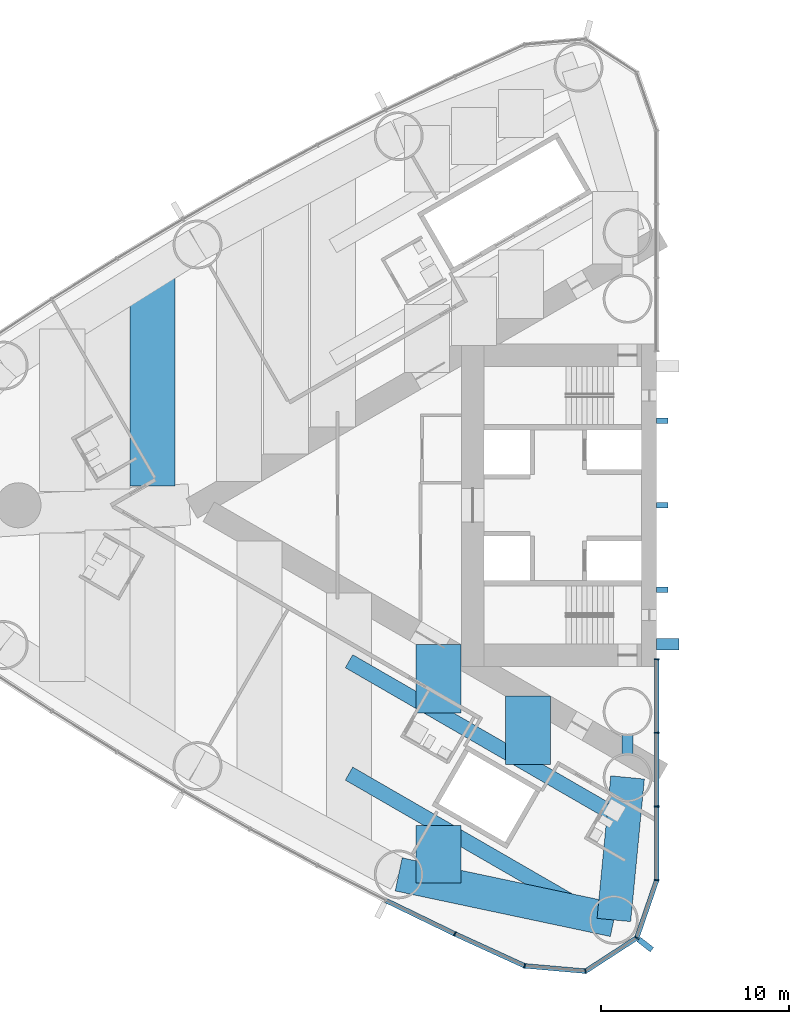
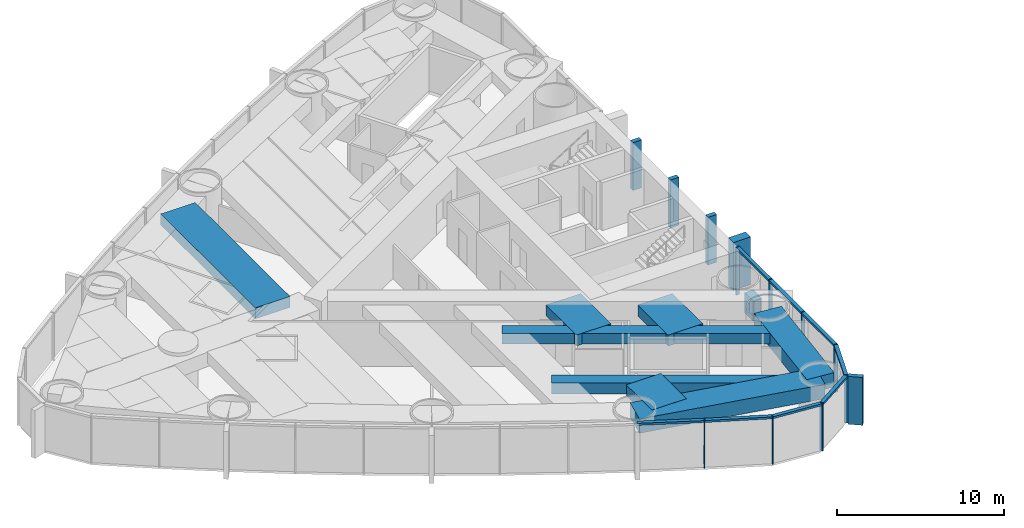
# One storey, part 3 of 18: 21 members, 9 beams, 1 element without a shape of its own.
"""IFC4 building model written with IfcOpenShell, lengths in metres."""

from ifc_helpers import new_model, si_unit, direction, frame, origin, origin_2d, place, context, subcontext, project, spatial, rectangle, hollow_rectangle, extrude, material, material_profile, profile_set, type_object, element, aggregate, save


model = new_model("IFC4")

# Units and contexts
model_context = context("Model", 3, precision=1e-05, world=origin(), true_north=direction((0.0, 1.0)))
body_context = subcontext(model_context, "Body", "Model", "MODEL_VIEW")
ifc_project = project(units=[si_unit("LENGTHUNIT", "METRE"), si_unit("AREAUNIT", "SQUARE_METRE"), si_unit("VOLUMEUNIT", "CUBIC_METRE"), si_unit("PLANEANGLEUNIT", "RADIAN"), si_unit("MASSUNIT", "GRAM", prefix="KILO")], contexts=[model_context])

# Site, building, storey
site_placement = place(None, origin())
site = spatial("IfcSite", under=ifc_project, at=site_placement, CompositionType="ELEMENT")
building_placement = place(site_placement, origin())
building = spatial("IfcBuilding", under=site, at=building_placement, Name="Lancet Gate Hotel", CompositionType="ELEMENT")
storey_placement = place(building_placement, frame((0.0, 0.0, 104.60009765625)))
storey = spatial("IfcBuildingStorey", under=building, at=storey_placement, Name="L27", CompositionType="ELEMENT", Elevation=104.60009765625)

# Curtain wall, members
ifc_material_1 = material(Name="Aluminium curtain wall", Category="aluminium")
curtain_wall_type = type_object("IfcCurtainWallType", Name="Tower unitised curtain wall", PredefinedType="USERDEFINED", material=ifc_material_1)
curtain_wall_placement = place(storey_placement, origin())
curtain_wall = element("IfcCurtainWall", 1, at=curtain_wall_placement, inside=storey, type_object=curtain_wall_type, Name="T1 L27 curtain wall 1", ObjectType="UNITISED CURTAIN WALL", PredefinedType="USERDEFINED")
ifc_material_2 = material(Name="Aluminium mullion", Category="aluminium")
ifc_material_profile_1 = material_profile(ifc_material_2, rectangle(XDim=0.06494140625, YDim=0.25, at=origin_2d()), Name="MULLION 65x250")
ifc_profile_set_1 = profile_set([ifc_material_profile_1], Name="Aluminium mullion")
member_type_1 = type_object("IfcMemberType", Name="Aluminium mullion 65x250", PredefinedType="MULLION", material=ifc_profile_set_1)
member_1_placement = place(storey_placement, frame((-38.25244140625, -22.83642578125, 0.0), z_axis=(0.0, 0.0, 1.0), x_axis=(0.904719609771, -0.426007544178, 0.0)))
member_1 = element("IfcMember", 2, at=member_1_placement, type_object=member_type_1, Name="T1 L27 curtain wall 1 mullion 29", PredefinedType="MULLION", context=body_context, shape_type="SweptSolid", body=[
    extrude(rectangle(XDim=0.06494140625, YDim=0.25, at=origin_2d()), origin(), (0.0, 0.0, 1.0), 3.5),
])
member_2_placement = place(storey_placement, frame((-34.5322265625, -24.53955078125, 0.0), z_axis=(0.0, 0.0, 1.0), x_axis=(0.961653318232, -0.27426792655, 0.0)))
member_2 = element("IfcMember", 3, at=member_2_placement, type_object=member_type_1, Name="T1 L27 curtain wall 1 mullion 30", PredefinedType="MULLION", context=body_context, shape_type="SweptSolid", body=[
    extrude(rectangle(XDim=0.06494140625, YDim=0.25, at=origin_2d()), origin(), (0.0, 0.0, 1.0), 3.5),
])
member_3_placement = place(storey_placement, frame((-31.289306640625, -24.822265625, 0.0), z_axis=(0.0, 0.0, 1.0), x_axis=(0.970242142288, 0.242136707934, 0.0)))
member_3 = element("IfcMember", 4, at=member_3_placement, type_object=member_type_1, Name="T1 L27 curtain wall 1 mullion 31", PredefinedType="MULLION", context=body_context, shape_type="SweptSolid", body=[
    extrude(rectangle(XDim=0.06494140625, YDim=0.25, at=origin_2d()), origin(), (0.0, 0.0, 1.0), 3.5),
])
member_4_placement = place(storey_placement, frame((-28.5595703125, -23.049072265625, 0.0), z_axis=(0.0, 0.0, 1.0), x_axis=(0.615574240878, 0.788078900851, 0.0)))
member_4 = element("IfcMember", 5, at=member_4_placement, type_object=member_type_1, Name="T1 L27 curtain wall 1 mullion 32", PredefinedType="MULLION", context=body_context, shape_type="SweptSolid", body=[
    extrude(rectangle(XDim=0.06494140625, YDim=0.25, at=origin_2d()), origin(), (0.0, 0.0, 1.0), 3.5),
])
member_5_placement = place(storey_placement, frame((-27.5, -19.97119140625, 0.0), z_axis=(0.0, 0.0, 1.0), x_axis=(0.149634446211, 0.988741388082, 0.0)))
member_5 = element("IfcMember", 6, at=member_5_placement, type_object=member_type_1, Name="T1 L27 curtain wall 1 mullion 33", PredefinedType="MULLION", context=body_context, shape_type="SweptSolid", body=[
    extrude(rectangle(XDim=0.06494140625, YDim=0.25, at=origin_2d()), origin(), (0.0, 0.0, 1.0), 3.5),
])
member_6_placement = place(storey_placement, frame((-27.5, -16.04736328125, 0.0), z_axis=(0.0, 0.0, 1.0), x_axis=(0.0, 1.0, 0.0)))
member_6 = element("IfcMember", 7, at=member_6_placement, type_object=member_type_1, Name="T1 L27 curtain wall 1 mullion 34", PredefinedType="MULLION", context=body_context, shape_type="SweptSolid", body=[
    extrude(rectangle(XDim=0.06494140625, YDim=0.25, at=origin_2d()), origin(), (0.0, 0.0, 1.0), 3.5),
])
member_7_placement = place(storey_placement, frame((-27.5, -12.123779296875, 0.0), z_axis=(0.0, 0.0, 1.0), x_axis=(0.0, 1.0, 0.0)))
member_7 = element("IfcMember", 8, at=member_7_placement, type_object=member_type_1, Name="T1 L27 curtain wall 1 mullion 35", PredefinedType="MULLION", context=body_context, shape_type="SweptSolid", body=[
    extrude(rectangle(XDim=0.06494140625, YDim=0.25, at=origin_2d()), origin(), (0.0, 0.0, 1.0), 3.5),
])
member_8_placement = place(storey_placement, frame((-27.5, -8.199951171875, 0.0), z_axis=(0.0, 0.0, 1.0), x_axis=(0.0, 1.0, 0.0)))
member_8 = element("IfcMember", 9, at=member_8_placement, type_object=member_type_1, Name="T1 L27 curtain wall 1 mullion 36", PredefinedType="MULLION", context=body_context, shape_type="SweptSolid", body=[
    extrude(rectangle(XDim=0.06494140625, YDim=0.25, at=origin_2d()), origin(), (0.0, 0.0, 1.0), 3.5),
])
ifc_material_3 = material(Name="Aluminium transom", Category="aluminium")
ifc_material_profile_2 = material_profile(ifc_material_3, rectangle(XDim=0.25, YDim=0.14990234375, at=origin_2d()), Name="TRANSOM 250x150")
ifc_profile_set_2 = profile_set([ifc_material_profile_2], Name="Aluminium transom")
member_type_2 = type_object("IfcMemberType", Name="Aluminium transom 250x150", PredefinedType="USERDEFINED", material=ifc_profile_set_2)
member_9_placement = place(storey_placement, frame((-41.906005859375, -21.067626953125, 3.4248046875), z_axis=(0.900065677074, -0.435754262117, 0.0), x_axis=(0.435754262117, 0.900065677074, 0.0)))
member_9 = element("IfcMember", 10, at=member_9_placement, type_object=member_type_2, Name="T1 L27 curtain wall 1 transom 28", ObjectType="TRANSOM", PredefinedType="USERDEFINED", context=body_context, shape_type="SweptSolid", body=[
    extrude(rectangle(XDim=0.25, YDim=0.14990234375, at=origin_2d()), origin(), (0.0, 0.0, 1.0), 4.026611328125),
])
member_10_placement = place(storey_placement, frame((-38.222900390625, -22.849853515625, 3.4248046875), z_axis=(0.909252284196, -0.416245460857, 0.0), x_axis=(0.416245460857, 0.909252284196, 0.0)))
member_10 = element("IfcMember", 11, at=member_10_placement, type_object=member_type_2, Name="T1 L27 curtain wall 1 transom 29", ObjectType="TRANSOM", PredefinedType="USERDEFINED", context=body_context, shape_type="SweptSolid", body=[
    extrude(rectangle(XDim=0.25, YDim=0.14990234375, at=origin_2d()), origin(), (0.0, 0.0, 1.0), 4.026611328125),
])
member_11_placement = place(storey_placement, frame((-34.499755859375, -24.542236328125, 3.4248046875), z_axis=(0.996213545522, -0.086940046686, 0.0), x_axis=(0.086940046686, 0.996213545522, 0.0)))
member_11 = element("IfcMember", 12, at=member_11_placement, type_object=member_type_2, Name="T1 L27 curtain wall 1 transom 30", ObjectType="TRANSOM", PredefinedType="USERDEFINED", context=body_context, shape_type="SweptSolid", body=[
    extrude(rectangle(XDim=0.25, YDim=0.14990234375, at=origin_2d()), origin(), (0.0, 0.0, 1.0), 3.18994140625),
])
member_12_placement = place(storey_placement, frame((-31.261962890625, -24.8046875, 3.4248046875), z_axis=(0.838550259452, 0.544824249068, 0.0), x_axis=(-0.544824249068, 0.838550259452, 0.0)))
member_12 = element("IfcMember", 13, at=member_12_placement, type_object=member_type_2, Name="T1 L27 curtain wall 1 transom 31", ObjectType="TRANSOM", PredefinedType="USERDEFINED", context=body_context, shape_type="SweptSolid", body=[
    extrude(rectangle(XDim=0.25, YDim=0.14990234375, at=origin_2d()), origin(), (0.0, 0.0, 1.0), 3.190185546875),
])
member_13_placement = place(storey_placement, frame((-28.549072265625, -23.018310546875, 3.4248046875), z_axis=(0.32553312754, 0.945530635609, 0.0), x_axis=(-0.945530635609, 0.32553312754, 0.0)))
member_13 = element("IfcMember", 14, at=member_13_placement, type_object=member_type_2, Name="T1 L27 curtain wall 1 transom 32", ObjectType="TRANSOM", PredefinedType="USERDEFINED", context=body_context, shape_type="SweptSolid", body=[
    extrude(rectangle(XDim=0.25, YDim=0.14990234375, at=origin_2d()), origin(), (0.0, 0.0, 1.0), 3.1904296875),
])
member_14_placement = place(storey_placement, frame((-27.5, -19.9384765625, 3.4248046875), z_axis=(0.0, 1.0, 0.0), x_axis=(-1.0, 0.0, 0.0)))
member_14 = element("IfcMember", 15, at=member_14_placement, type_object=member_type_2, Name="T1 L27 curtain wall 1 transom 33", ObjectType="TRANSOM", PredefinedType="USERDEFINED", context=body_context, shape_type="SweptSolid", body=[
    extrude(rectangle(XDim=0.25, YDim=0.14990234375, at=origin_2d()), origin(), (0.0, 0.0, 1.0), 3.858642578125),
])
member_15_placement = place(storey_placement, frame((-27.5, -16.014892578125, 3.4248046875), z_axis=(0.0, 1.0, 0.0), x_axis=(-1.0, 0.0, 0.0)))
member_15 = element("IfcMember", 16, at=member_15_placement, type_object=member_type_2, Name="T1 L27 curtain wall 1 transom 34", ObjectType="TRANSOM", PredefinedType="USERDEFINED", context=body_context, shape_type="SweptSolid", body=[
    extrude(rectangle(XDim=0.25, YDim=0.14990234375, at=origin_2d()), origin(), (0.0, 0.0, 1.0), 3.858642578125),
])
member_16_placement = place(storey_placement, frame((-27.5, -12.09130859375, 3.4248046875), z_axis=(0.0, 1.0, 0.0), x_axis=(-1.0, 0.0, 0.0)))
member_16 = element("IfcMember", 17, at=member_16_placement, type_object=member_type_2, Name="T1 L27 curtain wall 1 transom 35", ObjectType="TRANSOM", PredefinedType="USERDEFINED", context=body_context, shape_type="SweptSolid", body=[
    extrude(rectangle(XDim=0.25, YDim=0.14990234375, at=origin_2d()), origin(), (0.0, 0.0, 1.0), 3.85888671875),
])

# Beams
ifc_material_4 = material(Name="Concrete C50/60", Category="concrete")
ifc_material_profile_3 = material_profile(ifc_material_4, rectangle(XDim=1.800048828125, YDim=1.050048828125, at=origin_2d()), Name="RC 1800x1050")
ifc_profile_set_3 = profile_set([ifc_material_profile_3], Name="Concrete C50/60")
beam_type_1 = type_object("IfcBeamType", Name="Edge beam RC 1800x1050", PredefinedType="SPANDREL", material=ifc_profile_set_3)
beam_1_placement = place(storey_placement, frame((-41.244873046875, -19.665771484375, 2.724853515625), z_axis=(0.978282156247, -0.207277646573, 0.0), x_axis=(0.207277646573, 0.978282156247, 0.0)))
element("IfcBeam", 18, at=beam_1_placement, inside=storey, type_object=beam_type_1, Name="T1 edge beam EB1 L27", PredefinedType="SPANDREL", context=body_context, shape_type="SweptSolid", body=[
    extrude(rectangle(XDim=1.800048828125, YDim=1.050048828125, at=origin_2d()), origin(), (0.0, 0.0, 1.0), 11.71826171875),
])
beam_2_placement = place(storey_placement, frame((-29.050048828125, -14.5, 2.724853515625), z_axis=(-0.095802643786, -0.995400348324, 0.0), x_axis=(0.995400348324, -0.095802643786, 0.0)))
element("IfcBeam", 19, at=beam_2_placement, inside=storey, type_object=beam_type_1, Name="T1 edge beam EB1 L27", PredefinedType="SPANDREL", context=body_context, shape_type="SweptSolid", body=[
    extrude(rectangle(XDim=1.800048828125, YDim=1.050048828125, at=origin_2d()), origin(), (0.0, 0.0, 1.0), 7.6298828125),
])

# Member
ifc_material_5 = material(Name="Concrete C60/75", Category="concrete")
ifc_material_profile_4 = material_profile(ifc_material_5, rectangle(XDim=0.60009765625, YDim=1.199951171875, at=origin_2d()), Name="FIN 600x1200")
ifc_profile_set_4 = profile_set([ifc_material_profile_4], Name="Concrete C60/75")
member_type_3 = type_object("IfcMemberType", Name="Exposed concrete buttress pilaster 600x1200", PredefinedType="USERDEFINED", material=ifc_profile_set_4)
member_17_placement = place(storey_placement, frame((-26.909912109375, -7.39990234375, 0.0), z_axis=(0.0, 0.0, 1.0), x_axis=(0.0, 1.0, 0.0)))
element("IfcMember", 20, at=member_17_placement, inside=storey, type_object=member_type_3, Name="T1 buttress pilaster N L27", ObjectType="FIN", PredefinedType="USERDEFINED", context=body_context, shape_type="SweptSolid", body=[
    extrude(rectangle(XDim=0.60009765625, YDim=1.199951171875, at=origin_2d()), origin(), (0.0, 0.0, 1.0), 3.5),
])

ifc_material_6 = material(Name="Precast concrete C50/60", Category="concrete")
ifc_material_profile_5 = material_profile(ifc_material_6, rectangle(XDim=0.300048828125, YDim=0.89990234375, at=origin_2d()), Name="FIN 300x900")
ifc_profile_set_5 = profile_set([ifc_material_profile_5], Name="Precast concrete C50/60")
member_type_4 = type_object("IfcMemberType", Name="Exposed concrete fin 300x900", PredefinedType="USERDEFINED", material=ifc_profile_set_5)
member_18_placement = place(storey_placement, frame((-28.1064453125, -23.40283203125, 0.0), z_axis=(0.0, 0.0, 1.0), x_axis=(0.615574240878, 0.788078900851, 0.0)))
member_18 = element("IfcMember", 21, at=member_18_placement, type_object=member_type_4, Name="T1 L27 curtain wall 1 fin 32", ObjectType="FIN", PredefinedType="USERDEFINED", context=body_context, shape_type="SweptSolid", body=[
    extrude(rectangle(XDim=0.300048828125, YDim=0.89990234375, at=origin_2d()), origin(), (0.0, 0.0, 1.0), 3.5),
])

aggregate(curtain_wall, [member_1, member_2, member_3, member_4, member_18, member_5, member_6, member_7, member_8, member_9, member_10, member_11, member_12, member_13, member_14, member_15, member_16])

# Members
ifc_material_7 = material(Name="Concrete C60/75", Category="concrete")
ifc_material_profile_6 = material_profile(ifc_material_7, rectangle(XDim=0.300048828125, YDim=0.60009765625, at=origin_2d()), Name="FIN 300x600")
ifc_profile_set_6 = profile_set([ifc_material_profile_6], Name="Concrete C60/75")
member_type_5 = type_object("IfcMemberType", Name="Exposed concrete rib 300x600", PredefinedType="USERDEFINED", material=ifc_profile_set_6)
for number, where, z_axis, x_axis, name in (
    (22, (-27.2099609375, 4.5, 0.0), (0.0, 0.0, 1.0), (0.0, 1.0, 0.0), "T1 core rib 1 L27"),
    (23, (-27.2099609375, 0.0, 0.0), (0.0, 0.0, 1.0), (0.0, 1.0, 0.0), "T1 core rib 2 L27"),
    (24, (-27.2099609375, -4.5, 0.0), (0.0, 0.0, 1.0), (0.0, 1.0, 0.0), "T1 core rib 3 L27"),
):
    element("IfcMember", number, at=place(storey_placement, frame(where, z_axis=z_axis, x_axis=x_axis)), inside=storey, type_object=member_type_5, Name=name, ObjectType="FIN", PredefinedType="USERDEFINED", context=body_context, shape_type="SweptSolid", body=[
        extrude(rectangle(XDim=0.300048828125, YDim=0.60009765625, at=origin_2d()), origin(), (0.0, 0.0, 1.0), 3.5),
    ])

# Beams
ifc_material_8 = material(Name="Concrete C50/60", Category="concrete")
ifc_material_profile_7 = material_profile(ifc_material_8, rectangle(XDim=2.39990234375, YDim=0.800048828125, at=origin_2d()), Name="RC 2400x800")
ifc_profile_set_7 = profile_set([ifc_material_profile_7], Name="Concrete C50/60")
beam_type_2 = type_object("IfcBeamType", Name="Floor beam RC 2400x800", PredefinedType="BEAM", material=ifc_profile_set_7)
beam_3_placement = place(storey_placement, frame((-54.3681640625, 12.392333984375, 2.849853515625), z_axis=(0.0, -1.0, 0.0), x_axis=(1.0, 0.0, 0.0)))
element("IfcBeam", 25, at=beam_3_placement, inside=storey, type_object=beam_type_2, Name="T1 floor beam F13S L27", PredefinedType="BEAM", context=body_context, shape_type="SweptSolid", body=[
    extrude(rectangle(XDim=2.39990234375, YDim=0.800048828125, at=origin_2d()), origin(), (0.0, 0.0, 1.0), 11.364990234375),
])
beam_4_placement = place(storey_placement, frame((-34.353515625, -10.169921875, 2.849853515625), z_axis=(0.0, -1.0, 0.0), x_axis=(1.0, 0.0, 0.0)))
element("IfcBeam", 26, at=beam_4_placement, inside=storey, type_object=beam_type_2, Name="T1 floor beam F03NA L27", PredefinedType="BEAM", context=body_context, shape_type="SweptSolid", body=[
    extrude(rectangle(XDim=2.39990234375, YDim=0.800048828125, at=origin_2d()), origin(), (0.0, 0.0, 1.0), 3.645751953125),
])
beam_5_placement = place(storey_placement, frame((-39.122314453125, -7.41650390625, 2.849853515625), z_axis=(0.0, -1.0, 0.0), x_axis=(1.0, 0.0, 0.0)))
element("IfcBeam", 27, at=beam_5_placement, inside=storey, type_object=beam_type_2, Name="T1 floor beam F06NA L27", PredefinedType="BEAM", context=body_context, shape_type="SweptSolid", body=[
    extrude(rectangle(XDim=2.39990234375, YDim=0.800048828125, at=origin_2d()), origin(), (0.0, 0.0, 1.0), 3.64599609375),
])
beam_6_placement = place(storey_placement, frame((-39.122314453125, -17.0498046875, 2.849853515625), z_axis=(0.0, -1.0, 0.0), x_axis=(1.0, 0.0, 0.0)))
element("IfcBeam", 28, at=beam_6_placement, inside=storey, type_object=beam_type_2, Name="T1 floor beam F06NB L27", PredefinedType="BEAM", context=body_context, shape_type="SweptSolid", body=[
    extrude(rectangle(XDim=2.39990234375, YDim=0.800048828125, at=origin_2d()), origin(), (0.0, 0.0, 1.0), 3.065673828125),
])
ifc_material_9 = material(Name="Steel S460QL", Category="steel")
ifc_material_profile_8 = material_profile(ifc_material_9, hollow_rectangle(XDim=0.60009765625, YDim=1.5, WallThickness=0.050048828125, at=origin_2d()), Name="BOX 1500x600x50")
ifc_profile_set_8 = profile_set([ifc_material_profile_8], Name="Steel S460QL")
beam_type_3 = type_object("IfcBeamType", Name="Inner-face link beam BOX 1500x600x50", PredefinedType="BEAM", material=ifc_profile_set_8)
beam_7_placement = place(storey_placement, frame((-29.050048828125, -12.25, 2.5), z_axis=(0.0, -1.0, 0.0), x_axis=(1.0, 0.0, 0.0)))
element("IfcBeam", 29, at=beam_7_placement, inside=storey, type_object=beam_type_3, Name="T1 inner-face link beam LK1 L27", PredefinedType="BEAM", context=body_context, shape_type="SweptSolid", body=[
    extrude(hollow_rectangle(XDim=0.60009765625, YDim=1.5, WallThickness=0.050048828125, at=origin_2d()), origin(), (0.0, 0.0, 1.0), 1.0),
])
ifc_material_10 = material(Name="Steel S460QL", Category="steel")
ifc_material_profile_9 = material_profile(ifc_material_10, hollow_rectangle(XDim=0.800048828125, YDim=0.800048828125, WallThickness=0.080078125, at=origin_2d()), Name="BOX 800x800x80")
ifc_profile_set_9 = profile_set([ifc_material_profile_9], Name="Steel S460QL")
beam_type_4 = type_object("IfcBeamType", Name="Trimmer beam BOX 800x800x80", PredefinedType="BEAM", material=ifc_profile_set_9)
beam_8_placement = place(storey_placement, frame((-29.58447265625, -16.56884765625, 2.849853515625), z_axis=(-0.866040141834, 0.49997447208, 0.0), x_axis=(-0.49997447208, -0.866040141834, 0.0)))
element("IfcBeam", 30, at=beam_8_placement, inside=storey, type_object=beam_type_4, Name="T1 trimmer beam TR01N L27", PredefinedType="BEAM", context=body_context, shape_type="SweptSolid", body=[
    extrude(hollow_rectangle(XDim=0.800048828125, YDim=0.800048828125, WallThickness=0.080078125, at=origin_2d()), origin(), (0.0, 0.0, 1.0), 16.519775390625),
])
beam_9_placement = place(storey_placement, frame((-30.982421875, -21.7490234375, 2.849853515625), z_axis=(-0.866042392862, 0.4999705729, 0.0), x_axis=(-0.4999705729, -0.866042392862, 0.0)))
element("IfcBeam", 31, at=beam_9_placement, inside=storey, type_object=beam_type_4, Name="T1 trimmer beam TR03N L27", PredefinedType="BEAM", context=body_context, shape_type="SweptSolid", body=[
    extrude(hollow_rectangle(XDim=0.800048828125, YDim=0.800048828125, WallThickness=0.080078125, at=origin_2d()), origin(), (0.0, 0.0, 1.0), 14.90576171875),
])

save(model, "model.ifc")
